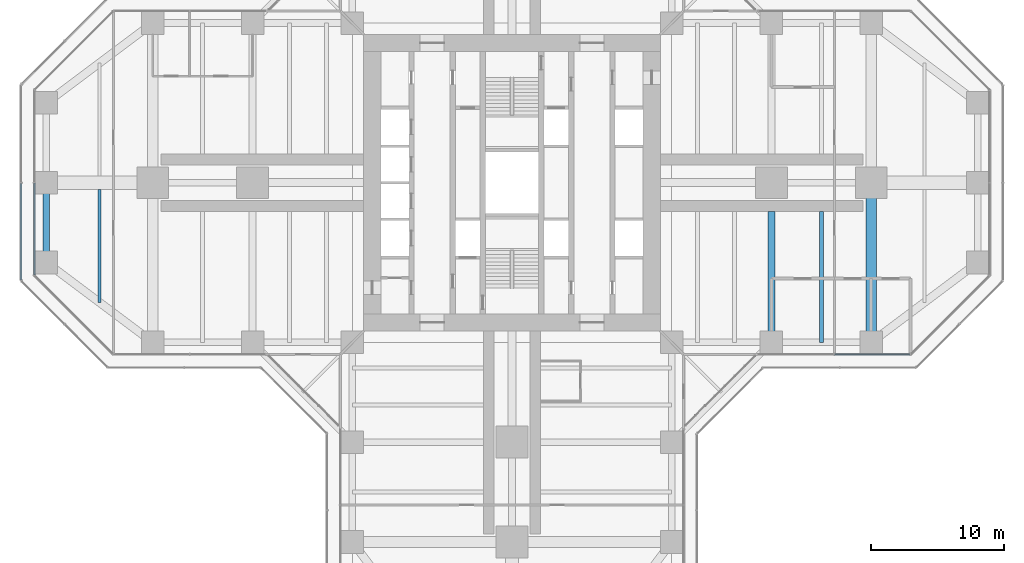
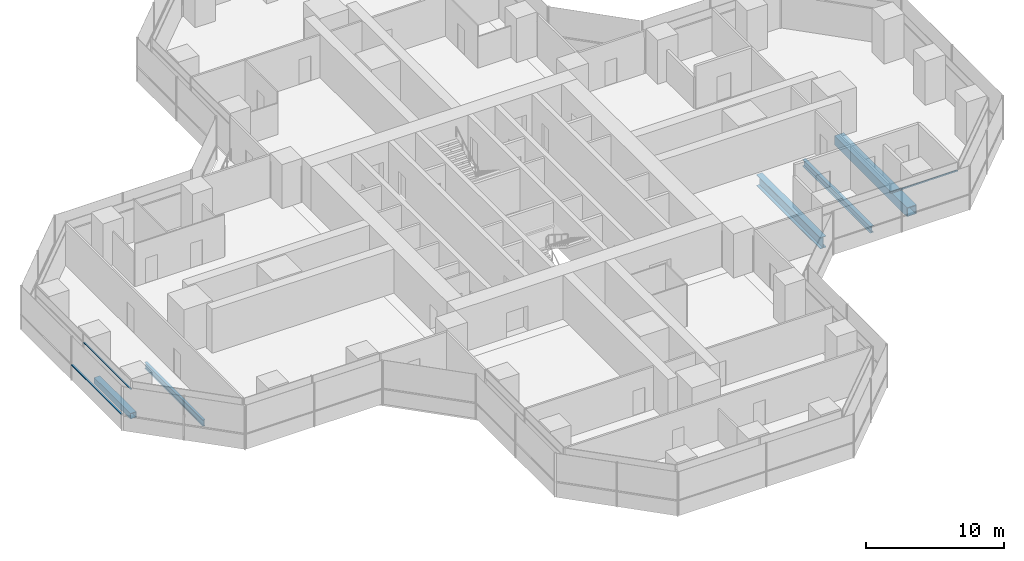
# One storey, part 7 of 22: 5 beams, 3 members, 3 elements without a shape of their own.
"""IFC4 building model written with IfcOpenShell, lengths in metres."""

from ifc_helpers import new_model, si_unit, direction, frame, origin, origin_2d, place, context, subcontext, project, spatial, rectangle, hollow_rectangle, i_section, extrude, material, material_profile, profile_set, type_object, element, aggregate, save


model = new_model("IFC4")

# Units and contexts
model_context = context("Model", 3, precision=1e-05, world=origin(), true_north=direction((0.0, 1.0)))
body_context = subcontext(model_context, "Body", "Model", "MODEL_VIEW")
ifc_project = project(units=[si_unit("LENGTHUNIT", "METRE"), si_unit("AREAUNIT", "SQUARE_METRE"), si_unit("VOLUMEUNIT", "CUBIC_METRE"), si_unit("PLANEANGLEUNIT", "RADIAN"), si_unit("MASSUNIT", "GRAM", prefix="KILO")], contexts=[model_context])

# Site, building, storey
site_placement = place(None, origin())
site = spatial("IfcSite", under=ifc_project, at=site_placement, CompositionType="ELEMENT")
building_placement = place(site_placement, origin())
building = spatial("IfcBuilding", under=site, at=building_placement, Name="Mizan Broadcast Tower", CompositionType="ELEMENT")
storey_placement = place(building_placement, frame((0.0, 0.0, 86.39990234375)))
storey = spatial("IfcBuildingStorey", under=building, at=storey_placement, Name="L18", CompositionType="ELEMENT", Elevation=86.39990234375)

# Beams
ifc_material_1 = material(Name="Steel S355", Category="steel")
ifc_material_profile_1 = material_profile(ifc_material_1, hollow_rectangle(XDim=0.5, YDim=0.5, WallThickness=0.030029296875, at=origin_2d()), Name="BOX 500x500x30")
ifc_profile_set_1 = profile_set([ifc_material_profile_1], Name="Steel S355")
beam_type_1 = type_object("IfcBeamType", Name="EDGE BEAM BOX 500x500x30", PredefinedType="SPANDREL", material=ifc_profile_set_1)
beam_1_placement = place(storey_placement, frame((-35.0, -5.639892578125, -0.3798828125), z_axis=(0.0, 1.0, 0.0), x_axis=(-1.0, 0.0, 0.0)))
element("IfcBeam", 1, at=beam_1_placement, inside=storey, type_object=beam_type_1, Name="Edge beam BOX 500x500x30 L18 west arm", PredefinedType="SPANDREL", context=body_context, shape_type="SweptSolid", body=[
    extrude(hollow_rectangle(XDim=0.5, YDim=0.5, WallThickness=0.030029296875, at=origin_2d()), origin(), (0.0, 0.0, 1.0), 5.27978515625),
])
ifc_material_2 = material(Name="Steel S460", Category="steel")
ifc_material_profile_2 = material_profile(ifc_material_2, hollow_rectangle(XDim=0.800048828125, YDim=0.800048828125, WallThickness=0.050048828125, at=origin_2d()), Name="BOX 800x800x50")
ifc_profile_set_2 = profile_set([ifc_material_profile_2], Name="Steel S460")
beam_type_2 = type_object("IfcBeamType", Name="GIRDER BOX 800x800x50", PredefinedType="BEAM", material=ifc_profile_set_2)
beam_2_placement = place(storey_placement, frame((27.0, -11.280029296875, -0.52978515625), z_axis=(0.0, 1.0, 0.0), x_axis=(-1.0, 0.0, 0.0)))
element("IfcBeam", 2, at=beam_2_placement, inside=storey, type_object=beam_type_2, Name="Girder BOX 800x800x50 L18 east arm", PredefinedType="BEAM", context=body_context, shape_type="SweptSolid", body=[
    extrude(hollow_rectangle(XDim=0.800048828125, YDim=0.800048828125, WallThickness=0.050048828125, at=origin_2d()), origin(), (0.0, 0.0, 1.0), 10.56005859375),
])
ifc_material_3 = material(Name="Steel S460", Category="steel")
ifc_material_profile_3 = material_profile(ifc_material_3, i_section(OverallWidth=0.5, OverallDepth=1.0, WebThickness=0.02490234375, FlangeThickness=0.050048828125, at=origin_2d()), Name="WPG 1000x500")
ifc_profile_set_3 = profile_set([ifc_material_profile_3], Name="Steel S460")
beam_type_3 = type_object("IfcBeamType", Name="GIRDER WPG 1000x500", PredefinedType="BEAM", material=ifc_profile_set_3)
beam_3_placement = place(storey_placement, frame((19.5, -11.408935546875, -0.6298828125), z_axis=(0.0, 1.0, 0.0), x_axis=(-1.0, 0.0, 0.0)))
element("IfcBeam", 3, at=beam_3_placement, inside=storey, type_object=beam_type_3, Name="Girder WPG 1000x500 L18 east arm", PredefinedType="BEAM", context=body_context, shape_type="SweptSolid", body=[
    extrude(i_section(OverallWidth=0.5, OverallDepth=1.0, WebThickness=0.02490234375, FlangeThickness=0.050048828125, at=origin_2d()), origin(), (0.0, 0.0, 1.0), 9.259033203125),
])

# Curtain wall, member
ifc_material_4 = material(Name="Aluminium framed glazing", Category="aluminium")
curtain_wall_type_1 = type_object("IfcCurtainWallType", Name="INNER SKIN LOW ZONE", PredefinedType="USERDEFINED", material=ifc_material_4)
curtain_wall_1_placement = place(storey_placement, origin())
curtain_wall_1 = element("IfcCurtainWall", 4, at=curtain_wall_1_placement, inside=storey, type_object=curtain_wall_type_1, Name="Inner skin low zone L18 E side", ObjectType="INNER SKIN LOW ZONE", PredefinedType="USERDEFINED")
ifc_material_5 = material(Name="Aluminium, pale anodised", Category="aluminium")
ifc_material_profile_4 = material_profile(ifc_material_5, rectangle(XDim=0.1201171875, YDim=0.06005859375, at=origin_2d()), Name="TRANSOM 120x60")
ifc_profile_set_4 = profile_set([ifc_material_profile_4], Name="Aluminium, pale anodised")
member_type_1 = type_object("IfcMemberType", Name="INNER SKIN TRANSOM 60x120", PredefinedType="USERDEFINED", material=ifc_profile_set_4)
member_1_placement = place(storey_placement, frame((24.25927734375, -12.89990234375, 3.030029296875), z_axis=(1.0, 0.0, 0.0), x_axis=(0.0, 1.0, 0.0)))
member_1 = element("IfcMember", 5, at=member_1_placement, type_object=member_type_1, Name="Inner skin low zone L18 E side transom 2.1", ObjectType="TRANSOM", PredefinedType="USERDEFINED", context=body_context, shape_type="SweptSolid", body=[
    extrude(rectangle(XDim=0.1201171875, YDim=0.06005859375, at=origin_2d()), origin(), (0.0, 0.0, 1.0), 5.639404296875),
])
aggregate(curtain_wall_1, [member_1])

curtain_wall_2_placement = place(storey_placement, origin())
curtain_wall_2 = element("IfcCurtainWall", 6, at=curtain_wall_2_placement, inside=storey, type_object=curtain_wall_type_1, Name="Inner skin low zone L18 W end", ObjectType="INNER SKIN LOW ZONE", PredefinedType="USERDEFINED")
member_2_placement = place(storey_placement, frame((-35.89990234375, -0.030029296875, 3.030029296875), z_axis=(0.0, -1.0, 0.0), x_axis=(1.0, 0.0, 0.0)))
member_2 = element("IfcMember", 7, at=member_2_placement, type_object=member_type_1, Name="Inner skin low zone L18 W end transom 2.1", ObjectType="TRANSOM", PredefinedType="USERDEFINED", context=body_context, shape_type="SweptSolid", body=[
    extrude(rectangle(XDim=0.1201171875, YDim=0.06005859375, at=origin_2d()), origin(), (0.0, 0.0, 1.0), 6.86865234375),
])
aggregate(curtain_wall_2, [member_2])

ifc_material_6 = material(Name="Aluminium framed glazing", Category="aluminium")
curtain_wall_type_2 = type_object("IfcCurtainWallType", Name="OUTER SKIN", PredefinedType="USERDEFINED", material=ifc_material_6)
curtain_wall_3_placement = place(storey_placement, origin())
curtain_wall_3 = element("IfcCurtainWall", 8, at=curtain_wall_3_placement, inside=storey, type_object=curtain_wall_type_2, Name="Outer skin L18 W end", ObjectType="OUTER SKIN", PredefinedType="USERDEFINED")
ifc_material_7 = material(Name="Aluminium, pale anodised", Category="aluminium")
ifc_material_profile_5 = material_profile(ifc_material_7, rectangle(XDim=0.159912109375, YDim=0.06005859375, at=origin_2d()), Name="TRANSOM 160x60")
ifc_profile_set_5 = profile_set([ifc_material_profile_5], Name="Aluminium, pale anodised")
member_type_2 = type_object("IfcMemberType", Name="OUTER SKIN TRANSOM 60x160", PredefinedType="USERDEFINED", material=ifc_profile_set_5)
member_3_placement = place(storey_placement, frame((-36.89990234375, -0.0400390625, 1.400146484375), z_axis=(0.0, -1.0, 0.0), x_axis=(1.0, 0.0, 0.0)))
member_3 = element("IfcMember", 9, at=member_3_placement, type_object=member_type_2, Name="Outer skin L18 W end transom 2.1", ObjectType="TRANSOM", PredefinedType="USERDEFINED", context=body_context, shape_type="SweptSolid", body=[
    extrude(rectangle(XDim=0.159912109375, YDim=0.06005859375, at=origin_2d()), origin(), (0.0, 0.0, 1.0), 7.252685546875),
])
aggregate(curtain_wall_3, [member_3])

# Beams
ifc_material_8 = material(Name="Steel S355", Category="steel")
ifc_material_profile_6 = material_profile(ifc_material_8, i_section(OverallWidth=0.300048828125, OverallDepth=0.590087890625, WebThickness=0.012939453125, FlangeThickness=0.02490234375, FilletRadius=0.027099609375, at=origin_2d()), Name="HEA 600")
ifc_profile_set_6 = profile_set([ifc_material_profile_6], Name="Steel S355")
beam_type_4 = type_object("IfcBeamType", Name="SECONDARY BEAM HEA 600", PredefinedType="JOIST", material=ifc_profile_set_6)
beam_4_placement = place(storey_placement, frame((23.25, -12.0, -0.4248046875), z_axis=(0.0, 1.0, 0.0), x_axis=(-1.0, 0.0, 0.0)))
element("IfcBeam", 10, at=beam_4_placement, inside=storey, type_object=beam_type_4, Name="Secondary beam HEA 600 L18 east arm", PredefinedType="JOIST", context=body_context, shape_type="SweptSolid", body=[
    extrude(i_section(OverallWidth=0.300048828125, OverallDepth=0.590087890625, WebThickness=0.012939453125, FlangeThickness=0.02490234375, FilletRadius=0.027099609375, at=origin_2d()), origin(), (0.0, 0.0, 1.0), 9.85009765625),
])
ifc_material_9 = material(Name="Steel S355", Category="steel")
ifc_material_profile_7 = material_profile(ifc_material_9, i_section(OverallWidth=0.2099609375, OverallDepth=0.550048828125, WebThickness=0.010986328125, FlangeThickness=0.01708984375, FilletRadius=0.02392578125, at=origin_2d()), Name="IPE 550")
ifc_profile_set_7 = profile_set([ifc_material_profile_7], Name="Steel S355")
beam_type_5 = type_object("IfcBeamType", Name="SECONDARY BEAM IPE 550", PredefinedType="JOIST", material=ifc_profile_set_7)
beam_5_placement = place(storey_placement, frame((-31.0, -9.0, -0.40478515625), z_axis=(0.0, 1.0, 0.0), x_axis=(-1.0, 0.0, 0.0)))
element("IfcBeam", 11, at=beam_5_placement, inside=storey, type_object=beam_type_5, Name="Secondary beam IPE 550 L18 west arm", PredefinedType="JOIST", context=body_context, shape_type="SweptSolid", body=[
    extrude(i_section(OverallWidth=0.2099609375, OverallDepth=0.550048828125, WebThickness=0.010986328125, FlangeThickness=0.01708984375, FilletRadius=0.02392578125, at=origin_2d()), origin(), (0.0, 0.0, 1.0), 8.5),
])

save(model, "model.ifc")
